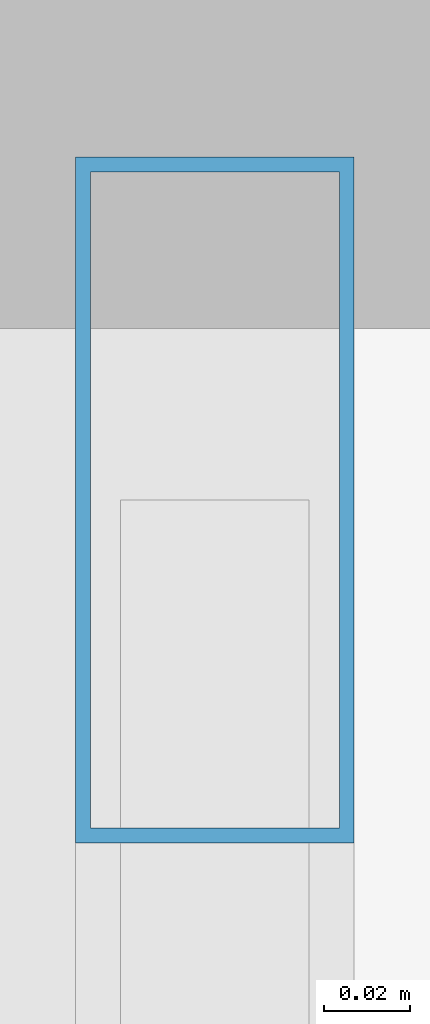
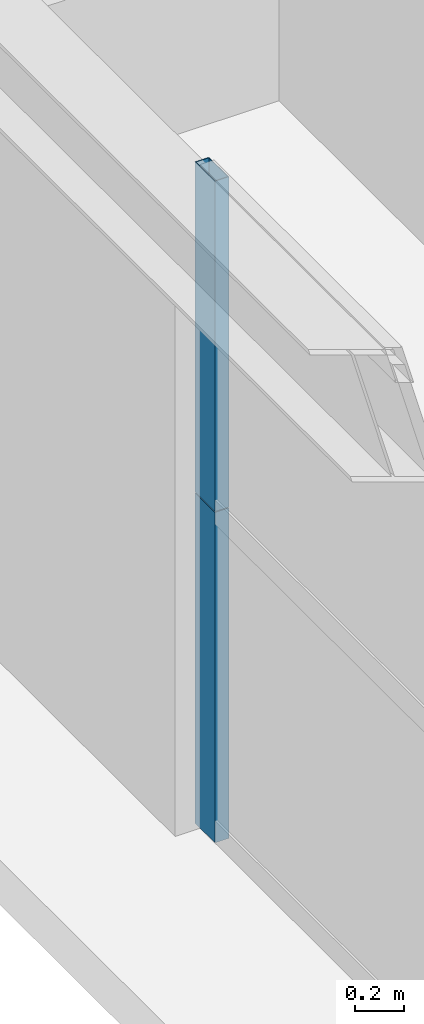
# One storey, part 21 of 35: 2 members, 1 element without a shape of its own.
"""IFC4 building model written with IfcOpenShell, lengths in metres."""

from ifc_helpers import new_model, si_unit, direction, frame, origin, origin_2d, place, context, subcontext, project, spatial, hollow_rectangle, extrude, source, transform, mapped, material, layer, layer_set, material_profile, profile_set, type_object, element, aggregate, save


model = new_model("IFC4")

# Units and contexts
model_context = context("Model", 3, precision=1e-05, world=origin(), true_north=direction((0.0, 1.0)))
body_context = subcontext(model_context, "Body", "Model", "MODEL_VIEW")
ifc_project = project(units=[si_unit("LENGTHUNIT", "METRE"), si_unit("AREAUNIT", "SQUARE_METRE"), si_unit("VOLUMEUNIT", "CUBIC_METRE"), si_unit("PLANEANGLEUNIT", "RADIAN"), si_unit("MASSUNIT", "GRAM", prefix="KILO"), si_unit("THERMODYNAMICTEMPERATUREUNIT", "KELVIN"), si_unit("POWERUNIT", "WATT")], contexts=[model_context])

# Site, building, storey
site_placement = place(None, origin())
site = spatial("IfcSite", under=ifc_project, at=site_placement, CompositionType="ELEMENT")
building_placement = place(site_placement, origin())
building = spatial("IfcBuilding", under=site, at=building_placement, Name="Yuzanri Waterfront Tower", CompositionType="ELEMENT")
storey_placement = place(building_placement, frame((0.0, 0.0, 271.60009765625)))
storey = spatial("IfcBuildingStorey", under=building, at=storey_placement, Name="L72", CompositionType="ELEMENT", Elevation=271.60009765625)

# Curtain wall, members
ifc_material_1 = material(Name="Anodized Architectural Bronze", Category="metal")
ifc_layer = layer(ifc_material_1, 0.159912109375)
ifc_layer_set = layer_set([ifc_layer], Name="Anodized Architectural Bronze")
curtain_wall_type = type_object("IfcCurtainWallType", Name="Anodized Bronze Mid-Rise Residential Acoustic Unitized Curtain Wall 7200", PredefinedType="NOTDEFINED", material=ifc_layer_set)
curtain_wall_placement = place(storey_placement, origin())
curtain_wall = element("IfcCurtainWall", 1, at=curtain_wall_placement, inside=storey, type_object=curtain_wall_type, Name="L72 Curtain Wall CW-L72-WR", PredefinedType="NOTDEFINED")
ifc_material_2 = material(Name="Anodized Architectural Bronze", Category="metal")
ifc_material_profile = material_profile(ifc_material_2, hollow_rectangle(XDim=0.06494140625, YDim=0.159912109375, WallThickness=0.00341796875, at=origin_2d()), Name="CWM 65x160")
ifc_profile_set = profile_set([ifc_material_profile], Name="Anodized Architectural Bronze")
member_type = type_object("IfcMemberType", Name="Anodized Bronze Upper-Zone Curtain-Wall Mullion 65x160", PredefinedType="MULLION", material=ifc_profile_set)
shared_shape = source(origin(), body_context, "Body", "SweptSolid", [
    extrude(hollow_rectangle(XDim=0.06494140625, YDim=0.159912109375, WallThickness=0.00341796875, at=origin_2d()), origin(), (0.0, 0.0, 1.0), 1.637939453125),
])
member_1_placement = place(storey_placement, frame((16.550048828125, 39.010009765625, 0.0), z_axis=(0.0, 0.0, 1.0), x_axis=(1.0, 0.0, 0.0)))
member_1 = element("IfcMember", 2, at=member_1_placement, type_object=member_type, Name="CW-L72-WR Lower Mullion 02", PredefinedType="MULLION", context=body_context, shape_type="MappedRepresentation", body=[
    mapped(shared_shape, transform((0.0, 0.0, 0.0), scale=1.0)),
])
member_2_placement = place(storey_placement, frame((16.550048828125, 39.010009765625, 1.641845703125), z_axis=(0.0, 0.0, 1.0), x_axis=(1.0, 0.0, 0.0)))
member_2 = element("IfcMember", 3, at=member_2_placement, type_object=member_type, Name="CW-L72-WR Upper Mullion 02", PredefinedType="MULLION", context=body_context, shape_type="MappedRepresentation", body=[
    mapped(shared_shape, transform((0.0, 0.0, 0.0), scale=1.0)),
])
aggregate(curtain_wall, [member_1, member_2])

save(model, "model.ifc")
